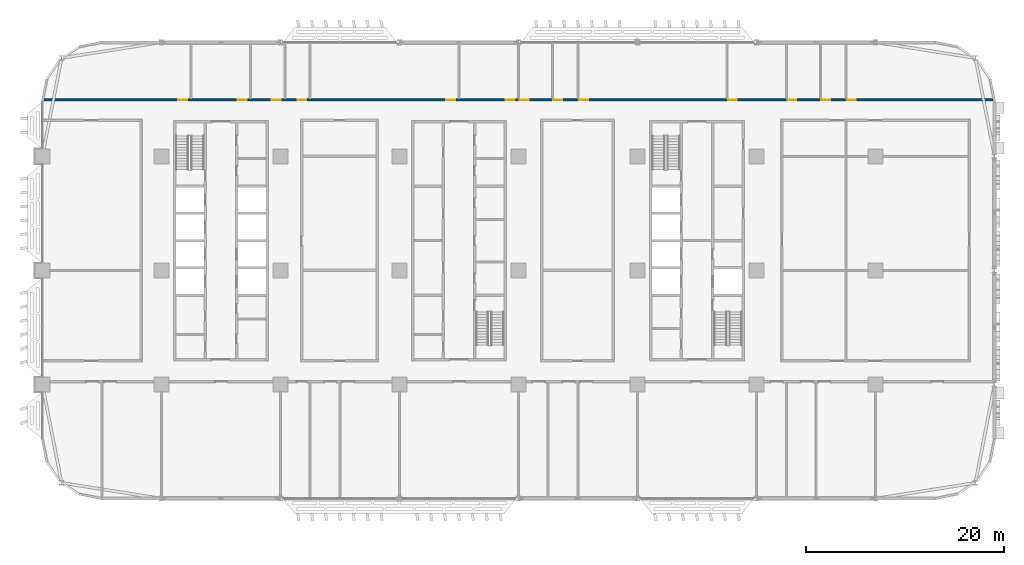
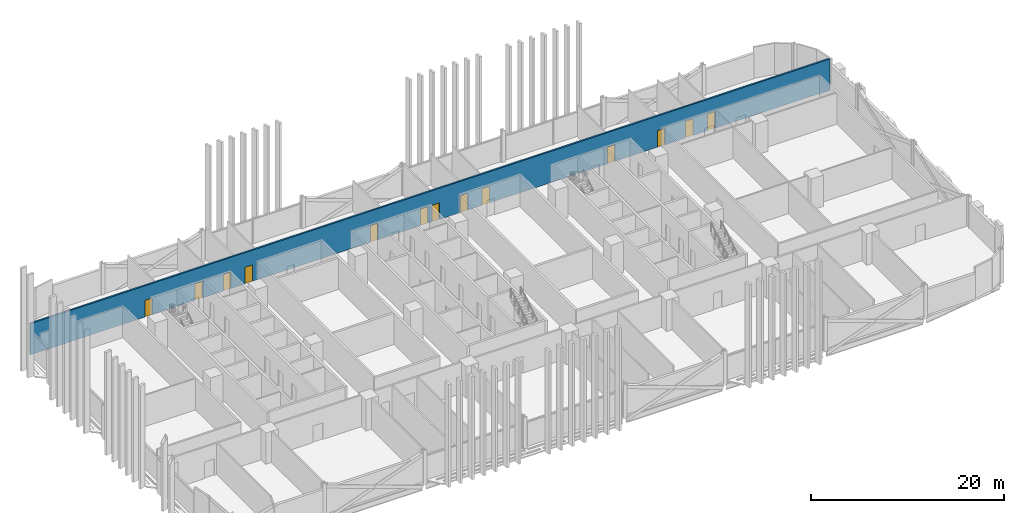
# One storey, part 15 of 29: 13 doors, 1 wall, 13 openings.
"""IFC4 building model written with IfcOpenShell, lengths in metres."""

from ifc_helpers import new_model, si_unit, direction, frame, frame_2d, origin, place, context, subcontext, project, spatial, rectangle, extrude, material, layer, layer_set, type_object, element, fill, save


model = new_model("IFC4")

# Units and contexts
model_context = context("Model", 3, precision=1e-05, world=origin(), true_north=direction((0.0, 1.0)))
body_context = subcontext(model_context, "Body", "Model", "MODEL_VIEW")
ifc_project = project(units=[si_unit("LENGTHUNIT", "METRE"), si_unit("AREAUNIT", "SQUARE_METRE"), si_unit("VOLUMEUNIT", "CUBIC_METRE"), si_unit("PLANEANGLEUNIT", "RADIAN"), si_unit("MASSUNIT", "GRAM", prefix="KILO")], contexts=[model_context])

# Site, building, storey
site_placement = place(None, origin())
site = spatial("IfcSite", under=ifc_project, at=site_placement, CompositionType="ELEMENT")
building_placement = place(site_placement, origin())
building = spatial("IfcBuilding", under=site, at=building_placement, Name="Mahtab Terrace Research Tower", CompositionType="ELEMENT")
storey_placement = place(building_placement, frame((0.0, 0.0, 63.199951171875)))
storey = spatial("IfcBuildingStorey", under=building, at=storey_placement, Name="L14", CompositionType="ELEMENT", Elevation=63.199951171875)

# Wall, openings, doors
ifc_material_1 = material(Name="Gypsum board corridor wall on steel studs", Category="steel")
ifc_layer = layer(ifc_material_1, 0.199951171875)
ifc_layer_set = layer_set([ifc_layer], Name="WALL CORRIDOR 200")
wall_type = type_object("IfcWallType", Name="WALL CORRIDOR 200", PredefinedType="PARTITIONING", material=ifc_layer_set)
wall_placement = place(storey_placement, frame((-41.97509765625, 17.199951171875, 0.0), z_axis=(0.0, 0.0, 1.0), x_axis=(1.0, 0.0, 0.0)))
wall = element("IfcWall", 1, at=wall_placement, inside=storey, type_object=wall_type, Name="L14-W025", PredefinedType="PARTITIONING", context=body_context, shape_type="SweptSolid", body=[
    extrude(rectangle(XDim=95.782470703125, YDim=0.199951171875, at=frame_2d((47.89111328125, 0.0))), origin(), (0.0, 0.0, 1.0), 3.9599609375),
])
opening_1_placement = place(wall_placement, frame((13.699951171875, 0.0, 0.0)))
opening_1 = element("IfcOpeningElement", 2, at=opening_1_placement, cuts=wall, Name="Opening L14-129", PredefinedType="OPENING", context=body_context, shape_type="SweptSolid", body=[
    extrude(rectangle(XDim=0.89990234375, YDim=2.10009765625, at=frame_2d((0.449951171875, 1.050048828125))), frame((0.0, 0.10986328125, 0.0), z_axis=(0.0, -1.0, 0.0), x_axis=(1.0, 0.0, 0.0)), (0.0, 0.0, 1.0), 0.219970703125),
])
opening_2_placement = place(wall_placement, frame((19.699951171875, 0.0, 0.0)))
opening_2 = element("IfcOpeningElement", 3, at=opening_2_placement, cuts=wall, Name="Opening L14-130", PredefinedType="OPENING", context=body_context, shape_type="SweptSolid", body=[
    extrude(rectangle(XDim=0.89990234375, YDim=2.10009765625, at=frame_2d((0.449951171875, 1.050048828125))), frame((0.0, 0.10986328125, 0.0), z_axis=(0.0, -1.0, 0.0), x_axis=(1.0, 0.0, 0.0)), (0.0, 0.0, 1.0), 0.219970703125),
])
opening_3_placement = place(wall_placement, frame((23.10009765625, 0.0, 0.0)))
opening_3 = element("IfcOpeningElement", 4, at=opening_3_placement, cuts=wall, Name="Opening L14-131", PredefinedType="OPENING", context=body_context, shape_type="SweptSolid", body=[
    extrude(rectangle(XDim=0.89990234375, YDim=2.10009765625, at=frame_2d((0.449951171875, 1.050048828125))), frame((0.0, 0.10986328125, 0.0), z_axis=(0.0, -1.0, 0.0), x_axis=(1.0, 0.0, 0.0)), (0.0, 0.0, 1.0), 0.219970703125),
])
opening_4_placement = place(wall_placement, frame((25.699951171875, 0.0, 0.0)))
opening_4 = element("IfcOpeningElement", 5, at=opening_4_placement, cuts=wall, Name="Opening L14-132", PredefinedType="OPENING", context=body_context, shape_type="SweptSolid", body=[
    extrude(rectangle(XDim=0.89990234375, YDim=2.10009765625, at=frame_2d((0.449951171875, 1.050048828125))), frame((0.0, 0.10986328125, 0.0), z_axis=(0.0, -1.0, 0.0), x_axis=(1.0, 0.0, 0.0)), (0.0, 0.0, 1.0), 0.219970703125),
])
opening_5_placement = place(wall_placement, frame((40.699951171875, 0.0, 0.0)))
opening_5 = element("IfcOpeningElement", 6, at=opening_5_placement, cuts=wall, Name="Opening L14-133", PredefinedType="OPENING", context=body_context, shape_type="SweptSolid", body=[
    extrude(rectangle(XDim=0.89990234375, YDim=2.10009765625, at=frame_2d((0.449951171875, 1.050048828125))), frame((0.0, 0.10986328125, 0.0), z_axis=(0.0, -1.0, 0.0), x_axis=(1.0, 0.0, 0.0)), (0.0, 0.0, 1.0), 0.219970703125),
])
opening_6_placement = place(wall_placement, frame((46.699951171875, 0.0, 0.0)))
opening_6 = element("IfcOpeningElement", 7, at=opening_6_placement, cuts=wall, Name="Opening L14-134", PredefinedType="OPENING", context=body_context, shape_type="SweptSolid", body=[
    extrude(rectangle(XDim=0.89990234375, YDim=2.10009765625, at=frame_2d((0.449951171875, 1.050048828125))), frame((0.0, 0.10986328125, 0.0), z_axis=(0.0, -1.0, 0.0), x_axis=(1.0, 0.0, 0.0)), (0.0, 0.0, 1.0), 0.219970703125),
])
opening_7_placement = place(wall_placement, frame((48.10009765625, 0.0, 0.0)))
opening_7 = element("IfcOpeningElement", 8, at=opening_7_placement, cuts=wall, Name="Opening L14-135", PredefinedType="OPENING", context=body_context, shape_type="SweptSolid", body=[
    extrude(rectangle(XDim=0.89990234375, YDim=2.10009765625, at=frame_2d((0.449951171875, 1.050048828125))), frame((0.0, 0.10986328125, 0.0), z_axis=(0.0, -1.0, 0.0), x_axis=(1.0, 0.0, 0.0)), (0.0, 0.0, 1.0), 0.219970703125),
])
opening_8_placement = place(wall_placement, frame((51.5, 0.0, 0.0)))
opening_8 = element("IfcOpeningElement", 9, at=opening_8_placement, cuts=wall, Name="Opening L14-136", PredefinedType="OPENING", context=body_context, shape_type="SweptSolid", body=[
    extrude(rectangle(XDim=0.89990234375, YDim=2.10009765625, at=frame_2d((0.449951171875, 1.050048828125))), frame((0.0, 0.10986328125, 0.0), z_axis=(0.0, -1.0, 0.0), x_axis=(1.0, 0.0, 0.0)), (0.0, 0.0, 1.0), 0.219970703125),
])
opening_9_placement = place(wall_placement, frame((54.10009765625, 0.0, 0.0)))
opening_9 = element("IfcOpeningElement", 10, at=opening_9_placement, cuts=wall, Name="Opening L14-137", PredefinedType="OPENING", context=body_context, shape_type="SweptSolid", body=[
    extrude(rectangle(XDim=0.89990234375, YDim=2.10009765625, at=frame_2d((0.449951171875, 1.050048828125))), frame((0.0, 0.10986328125, 0.0), z_axis=(0.0, -1.0, 0.0), x_axis=(1.0, 0.0, 0.0)), (0.0, 0.0, 1.0), 0.219970703125),
])
opening_10_placement = place(wall_placement, frame((69.10009765625, 0.0, 0.0)))
opening_10 = element("IfcOpeningElement", 11, at=opening_10_placement, cuts=wall, Name="Opening L14-138", PredefinedType="OPENING", context=body_context, shape_type="SweptSolid", body=[
    extrude(rectangle(XDim=0.89990234375, YDim=2.10009765625, at=frame_2d((0.449951171875, 1.050048828125))), frame((0.0, 0.10986328125, 0.0), z_axis=(0.0, -1.0, 0.0), x_axis=(1.0, 0.0, 0.0)), (0.0, 0.0, 1.0), 0.219970703125),
])
opening_11_placement = place(wall_placement, frame((75.10009765625, 0.0, 0.0)))
opening_11 = element("IfcOpeningElement", 12, at=opening_11_placement, cuts=wall, Name="Opening L14-139", PredefinedType="OPENING", context=body_context, shape_type="SweptSolid", body=[
    extrude(rectangle(XDim=0.89990234375, YDim=2.10009765625, at=frame_2d((0.449951171875, 1.050048828125))), frame((0.0, 0.10986328125, 0.0), z_axis=(0.0, -1.0, 0.0), x_axis=(1.0, 0.0, 0.0)), (0.0, 0.0, 1.0), 0.219970703125),
])
opening_12_placement = place(wall_placement, frame((78.5, 0.0, 0.0)))
opening_12 = element("IfcOpeningElement", 13, at=opening_12_placement, cuts=wall, Name="Opening L14-140", PredefinedType="OPENING", context=body_context, shape_type="SweptSolid", body=[
    extrude(rectangle(XDim=0.89990234375, YDim=2.10009765625, at=frame_2d((0.449951171875, 1.050048828125))), frame((0.0, 0.10986328125, 0.0), z_axis=(0.0, -1.0, 0.0), x_axis=(1.0, 0.0, 0.0)), (0.0, 0.0, 1.0), 0.219970703125),
])
opening_13_placement = place(wall_placement, frame((81.10009765625, 0.0, 0.0)))
opening_13 = element("IfcOpeningElement", 14, at=opening_13_placement, cuts=wall, Name="Opening L14-141", PredefinedType="OPENING", context=body_context, shape_type="SweptSolid", body=[
    extrude(rectangle(XDim=0.89990234375, YDim=2.10009765625, at=frame_2d((0.449951171875, 1.050048828125))), frame((0.0, 0.10986328125, 0.0), z_axis=(0.0, -1.0, 0.0), x_axis=(1.0, 0.0, 0.0)), (0.0, 0.0, 1.0), 0.219970703125),
])
ifc_material_2 = material(Name="Timber door leaf in steel frame", Category="steel")
door_type = type_object("IfcDoorType", Name="DOOR 0900X2100 FD30S", OperationType="SINGLE_SWING_LEFT", PredefinedType="DOOR", material=ifc_material_2)
door_1_placement = place(opening_1_placement, origin())
door_1 = element("IfcDoor", 15, at=door_1_placement, inside=storey, type_object=door_type, Name="Door L14-129", OperationType="SINGLE_SWING_LEFT", OverallHeight=2.10009765625, OverallWidth=0.89990234375, PredefinedType="DOOR", context=body_context, shape_type="SweptSolid", body=[
    extrude(rectangle(XDim=0.89990234375, YDim=2.10009765625, at=frame_2d((0.449951171875, 1.050048828125))), frame((0.0, 0.02490234375, 0.0), z_axis=(0.0, -1.0, 0.0), x_axis=(1.0, 0.0, 0.0)), (0.0, 0.0, 1.0), 0.050048828125),
])
fill(opening_1, door_1)
door_2_placement = place(opening_2_placement, origin())
door_2 = element("IfcDoor", 16, at=door_2_placement, inside=storey, type_object=door_type, Name="Door L14-130", OperationType="SINGLE_SWING_LEFT", OverallHeight=2.10009765625, OverallWidth=0.89990234375, PredefinedType="DOOR", context=body_context, shape_type="SweptSolid", body=[
    extrude(rectangle(XDim=0.89990234375, YDim=2.10009765625, at=frame_2d((0.449951171875, 1.050048828125))), frame((0.0, 0.02490234375, 0.0), z_axis=(0.0, -1.0, 0.0), x_axis=(1.0, 0.0, 0.0)), (0.0, 0.0, 1.0), 0.050048828125),
])
fill(opening_2, door_2)
door_3_placement = place(opening_3_placement, origin())
door_3 = element("IfcDoor", 17, at=door_3_placement, inside=storey, type_object=door_type, Name="Door L14-131", OperationType="SINGLE_SWING_LEFT", OverallHeight=2.10009765625, OverallWidth=0.89990234375, PredefinedType="DOOR", context=body_context, shape_type="SweptSolid", body=[
    extrude(rectangle(XDim=0.89990234375, YDim=2.10009765625, at=frame_2d((0.449951171875, 1.050048828125))), frame((0.0, 0.02490234375, 0.0), z_axis=(0.0, -1.0, 0.0), x_axis=(1.0, 0.0, 0.0)), (0.0, 0.0, 1.0), 0.050048828125),
])
fill(opening_3, door_3)
door_4_placement = place(opening_4_placement, origin())
door_4 = element("IfcDoor", 18, at=door_4_placement, inside=storey, type_object=door_type, Name="Door L14-132", OperationType="SINGLE_SWING_LEFT", OverallHeight=2.10009765625, OverallWidth=0.89990234375, PredefinedType="DOOR", context=body_context, shape_type="SweptSolid", body=[
    extrude(rectangle(XDim=0.89990234375, YDim=2.10009765625, at=frame_2d((0.449951171875, 1.050048828125))), frame((0.0, 0.02490234375, 0.0), z_axis=(0.0, -1.0, 0.0), x_axis=(1.0, 0.0, 0.0)), (0.0, 0.0, 1.0), 0.050048828125),
])
fill(opening_4, door_4)
door_5_placement = place(opening_5_placement, origin())
door_5 = element("IfcDoor", 19, at=door_5_placement, inside=storey, type_object=door_type, Name="Door L14-133", OperationType="SINGLE_SWING_LEFT", OverallHeight=2.10009765625, OverallWidth=0.89990234375, PredefinedType="DOOR", context=body_context, shape_type="SweptSolid", body=[
    extrude(rectangle(XDim=0.89990234375, YDim=2.10009765625, at=frame_2d((0.449951171875, 1.050048828125))), frame((0.0, 0.02490234375, 0.0), z_axis=(0.0, -1.0, 0.0), x_axis=(1.0, 0.0, 0.0)), (0.0, 0.0, 1.0), 0.050048828125),
])
fill(opening_5, door_5)
door_6_placement = place(opening_6_placement, origin())
door_6 = element("IfcDoor", 20, at=door_6_placement, inside=storey, type_object=door_type, Name="Door L14-134", OperationType="SINGLE_SWING_LEFT", OverallHeight=2.10009765625, OverallWidth=0.89990234375, PredefinedType="DOOR", context=body_context, shape_type="SweptSolid", body=[
    extrude(rectangle(XDim=0.89990234375, YDim=2.10009765625, at=frame_2d((0.449951171875, 1.050048828125))), frame((0.0, 0.02490234375, 0.0), z_axis=(0.0, -1.0, 0.0), x_axis=(1.0, 0.0, 0.0)), (0.0, 0.0, 1.0), 0.050048828125),
])
fill(opening_6, door_6)
door_7_placement = place(opening_7_placement, origin())
door_7 = element("IfcDoor", 21, at=door_7_placement, inside=storey, type_object=door_type, Name="Door L14-135", OperationType="SINGLE_SWING_RIGHT", OverallHeight=2.10009765625, OverallWidth=0.89990234375, PredefinedType="DOOR", context=body_context, shape_type="SweptSolid", body=[
    extrude(rectangle(XDim=0.89990234375, YDim=2.10009765625, at=frame_2d((0.449951171875, 1.050048828125))), frame((0.0, 0.02490234375, 0.0), z_axis=(0.0, -1.0, 0.0), x_axis=(1.0, 0.0, 0.0)), (0.0, 0.0, 1.0), 0.050048828125),
])
fill(opening_7, door_7)
door_8_placement = place(opening_8_placement, origin())
door_8 = element("IfcDoor", 22, at=door_8_placement, inside=storey, type_object=door_type, Name="Door L14-136", OperationType="SINGLE_SWING_RIGHT", OverallHeight=2.10009765625, OverallWidth=0.89990234375, PredefinedType="DOOR", context=body_context, shape_type="SweptSolid", body=[
    extrude(rectangle(XDim=0.89990234375, YDim=2.10009765625, at=frame_2d((0.449951171875, 1.050048828125))), frame((0.0, 0.02490234375, 0.0), z_axis=(0.0, -1.0, 0.0), x_axis=(1.0, 0.0, 0.0)), (0.0, 0.0, 1.0), 0.050048828125),
])
fill(opening_8, door_8)
door_9_placement = place(opening_9_placement, origin())
door_9 = element("IfcDoor", 23, at=door_9_placement, inside=storey, type_object=door_type, Name="Door L14-137", OperationType="SINGLE_SWING_RIGHT", OverallHeight=2.10009765625, OverallWidth=0.89990234375, PredefinedType="DOOR", context=body_context, shape_type="SweptSolid", body=[
    extrude(rectangle(XDim=0.89990234375, YDim=2.10009765625, at=frame_2d((0.449951171875, 1.050048828125))), frame((0.0, 0.02490234375, 0.0), z_axis=(0.0, -1.0, 0.0), x_axis=(1.0, 0.0, 0.0)), (0.0, 0.0, 1.0), 0.050048828125),
])
fill(opening_9, door_9)
door_10_placement = place(opening_10_placement, origin())
door_10 = element("IfcDoor", 24, at=door_10_placement, inside=storey, type_object=door_type, Name="Door L14-138", OperationType="SINGLE_SWING_RIGHT", OverallHeight=2.10009765625, OverallWidth=0.89990234375, PredefinedType="DOOR", context=body_context, shape_type="SweptSolid", body=[
    extrude(rectangle(XDim=0.89990234375, YDim=2.10009765625, at=frame_2d((0.449951171875, 1.050048828125))), frame((0.0, 0.02490234375, 0.0), z_axis=(0.0, -1.0, 0.0), x_axis=(1.0, 0.0, 0.0)), (0.0, 0.0, 1.0), 0.050048828125),
])
fill(opening_10, door_10)
door_11_placement = place(opening_11_placement, origin())
door_11 = element("IfcDoor", 25, at=door_11_placement, inside=storey, type_object=door_type, Name="Door L14-139", OperationType="SINGLE_SWING_RIGHT", OverallHeight=2.10009765625, OverallWidth=0.89990234375, PredefinedType="DOOR", context=body_context, shape_type="SweptSolid", body=[
    extrude(rectangle(XDim=0.89990234375, YDim=2.10009765625, at=frame_2d((0.449951171875, 1.050048828125))), frame((0.0, 0.02490234375, 0.0), z_axis=(0.0, -1.0, 0.0), x_axis=(1.0, 0.0, 0.0)), (0.0, 0.0, 1.0), 0.050048828125),
])
fill(opening_11, door_11)
door_12_placement = place(opening_12_placement, origin())
door_12 = element("IfcDoor", 26, at=door_12_placement, inside=storey, type_object=door_type, Name="Door L14-140", OperationType="SINGLE_SWING_RIGHT", OverallHeight=2.10009765625, OverallWidth=0.89990234375, PredefinedType="DOOR", context=body_context, shape_type="SweptSolid", body=[
    extrude(rectangle(XDim=0.89990234375, YDim=2.10009765625, at=frame_2d((0.449951171875, 1.050048828125))), frame((0.0, 0.02490234375, 0.0), z_axis=(0.0, -1.0, 0.0), x_axis=(1.0, 0.0, 0.0)), (0.0, 0.0, 1.0), 0.050048828125),
])
fill(opening_12, door_12)
door_13_placement = place(opening_13_placement, origin())
door_13 = element("IfcDoor", 27, at=door_13_placement, inside=storey, type_object=door_type, Name="Door L14-141", OperationType="SINGLE_SWING_RIGHT", OverallHeight=2.10009765625, OverallWidth=0.89990234375, PredefinedType="DOOR", context=body_context, shape_type="SweptSolid", body=[
    extrude(rectangle(XDim=0.89990234375, YDim=2.10009765625, at=frame_2d((0.449951171875, 1.050048828125))), frame((0.0, 0.02490234375, 0.0), z_axis=(0.0, -1.0, 0.0), x_axis=(1.0, 0.0, 0.0)), (0.0, 0.0, 1.0), 0.050048828125),
])
fill(opening_13, door_13)

save(model, "model.ifc")
